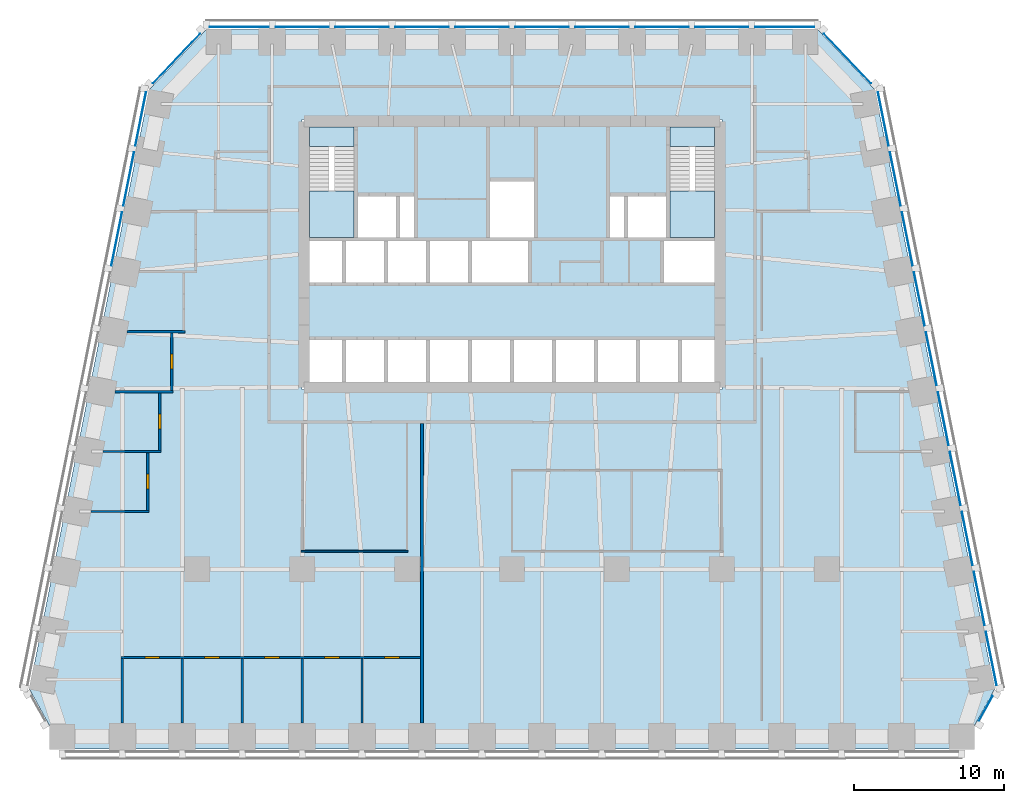
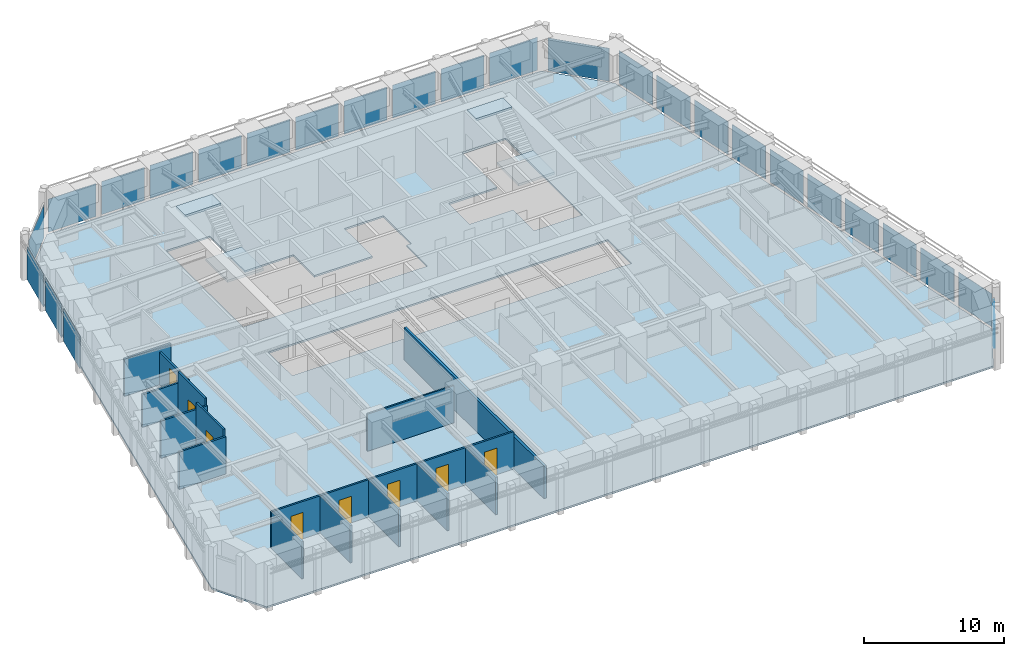
# One storey, part 5 of 10: 26 plates, 15 walls, 8 doors, 5 slabs, 8 openings, 8 elements without a shape of their own.
"""IFC4 building model written with IfcOpenShell, lengths in metres."""

import ifcopenshell
import ifcopenshell.guid

model = None  # the IFC model being written
_history = None  # IfcOwnerHistory: only IFC2X3 demands one
_inside = {}  # id of a spatial element -> (the spatial element, [elements in it])
_under = {}  # id of a project, library or spatial element -> (it, [spatial elements below it])
_declared = {}  # id of a project -> (the project, [libraries it declares])
_typed = {}  # id of a type object -> (the type object, [elements of that type])
_made_of = {}  # id of a material, layer set ... -> (it, [elements and type objects made of it])


def new_model(schema):
    """Start an empty IFC model of exactly this schema.

    Asked for "IFC4X3", IfcOpenShell would pick the latest addendum, in which some entities
    have other attributes; the version numbers below select the first issue.
    IFC2X3 requires an IfcOwnerHistory on every rooted entity: one is made here for all.
    """
    global model, _history
    if schema == "IFC4X3":
        model = ifcopenshell.file(schema_version=(4, 3, 0, 0))
    else:
        model = ifcopenshell.file(schema=schema)
    _inside.clear()
    _under.clear()
    _declared.clear()
    _typed.clear()
    _made_of.clear()
    _history = None
    if model.schema == "IFC2X3":
        org = make("IfcOrganization", Name="unknown")
        user = make(
            "IfcPersonAndOrganization",
            ThePerson=make("IfcPerson", FamilyName="unknown"),
            TheOrganization=org,
        )
        app = make(
            "IfcApplication",
            ApplicationDeveloper=org,
            Version="unknown",
            ApplicationFullName="unknown",
            ApplicationIdentifier="unknown",
        )
        _history = make(
            "IfcOwnerHistory",
            OwningUser=user,
            OwningApplication=app,
            ChangeAction="ADDED",
            CreationDate=0,
        )
    return model


def make(cls, **values):
    """One entity of the class cls with the attributes given. An attribute that is None is left unset."""
    return model.create_entity(
        cls, **{name: value for name, value in values.items() if value is not None}
    )


def rooted(cls, **values):
    """An entity with a GlobalId (a new one), such as an element, a storey or a relation."""
    return make(cls, GlobalId=ifcopenshell.guid.new(), OwnerHistory=_history, **values)


def si_unit(unit_type, name, prefix=None):
    """IfcSIUnit, for example si_unit("LENGTHUNIT", "METRE", prefix="MILLI")."""
    return make("IfcSIUnit", UnitType=unit_type, Prefix=prefix, Name=name)


def assignment(units):
    """IfcUnitAssignment: the units of a project."""
    return None if units is None else make("IfcUnitAssignment", Units=units)


def point(xyz):
    """IfcCartesianPoint."""
    return None if xyz is None else make("IfcCartesianPoint", Coordinates=xyz)


def direction(xyz):
    """IfcDirection."""
    return None if xyz is None else make("IfcDirection", DirectionRatios=xyz)


def frame(location, z_axis=None, x_axis=None):
    """IfcAxis2Placement3D, a coordinate frame: its origin and axes. An axis left out is left unset."""
    return make(
        "IfcAxis2Placement3D",
        Location=point(location),
        Axis=direction(z_axis),
        RefDirection=direction(x_axis),
    )


def frame_2d(location, x_axis=None):
    """IfcAxis2Placement2D, a coordinate frame in the plane: its origin and x axis."""
    return make(
        "IfcAxis2Placement2D", Location=point(location), RefDirection=direction(x_axis)
    )


def origin():
    """The frame at (0, 0, 0) with its axes left unset."""
    return frame((0.0, 0.0, 0.0))


def origin_2d():
    """The frame at (0, 0) in the plane with its x axis left unset."""
    return frame_2d((0.0, 0.0))


def place(relative_to, where):
    """IfcLocalPlacement: puts the frame where relative to a parent placement (None: the world)."""
    return make(
        "IfcLocalPlacement", PlacementRelTo=relative_to, RelativePlacement=where
    )


def context(
    kind, dimensions, precision=None, world=None, true_north=None, identifier=None
):
    """IfcGeometricRepresentationContext, for example the 3D "Model" context."""
    return make(
        "IfcGeometricRepresentationContext",
        ContextIdentifier=identifier,
        ContextType=kind,
        CoordinateSpaceDimension=dimensions,
        Precision=precision,
        WorldCoordinateSystem=world,
        TrueNorth=true_north,
    )


def subcontext(parent, identifier, kind, view, scale=None):
    """IfcGeometricRepresentationSubContext, for example "Body" below "Model"."""
    return make(
        "IfcGeometricRepresentationSubContext",
        ContextIdentifier=identifier,
        ContextType=kind,
        ParentContext=parent,
        TargetScale=scale,
        TargetView=view,
    )


def project(units=None, contexts=None):
    """IfcProject with its units and contexts."""
    return rooted(
        "IfcProject",
        Name="project",
        RepresentationContexts=contexts,
        UnitsInContext=assignment(units),
    )


def spatial(cls, under=None, at=None, **own):
    """A site, building, storey or space (cls), placed at a placement, below another one or the project."""
    s = rooted(cls, ObjectPlacement=at, **own)
    if under is not None:
        _under.setdefault(under.id(), (under, []))[1].append(s)
    return s


def polyline(points):
    """IfcPolyline through the points."""
    return make("IfcPolyline", Points=[point(p) for p in points])


def profile(cls, at=None, kind="AREA", **sizes):
    """A parametric profile (cls). Its sizes go by their IFC names, for example OverallWidth=200.0."""
    return make(cls, ProfileType=kind, Position=at, **sizes)


def rectangle(**sizes):
    """IfcRectangleProfileDef."""
    return profile("IfcRectangleProfileDef", **sizes)


def outline(outer, holes=None, kind="AREA"):
    """IfcArbitraryClosedProfileDef: a profile drawn as a closed curve; with holes, ...WithVoids."""
    if holes is None:
        return make("IfcArbitraryClosedProfileDef", ProfileType=kind, OuterCurve=outer)
    return make(
        "IfcArbitraryProfileDefWithVoids",
        ProfileType=kind,
        OuterCurve=outer,
        InnerCurves=holes,
    )


def extrude(swept, where, along, depth):
    """IfcExtrudedAreaSolid: the profile swept, set in the frame where, extruded along a direction by depth."""
    return make(
        "IfcExtrudedAreaSolid",
        SweptArea=swept,
        Position=where,
        ExtrudedDirection=direction(along),
        Depth=depth,
    )


def shape(context_of_items, identifier, shape_type, items):
    """IfcShapeRepresentation: the items that make up one representation, for example the "Body"."""
    return make(
        "IfcShapeRepresentation",
        ContextOfItems=context_of_items,
        RepresentationIdentifier=identifier,
        RepresentationType=shape_type,
        Items=items,
    )


def material(Name=None, Category=None):
    """IfcMaterial."""
    return make("IfcMaterial", Name=Name, Category=Category)


def layer(
    of_material, thickness, ventilated=None, Name=None, Category=None, Priority=None
):
    """IfcMaterialLayer: one layer of a wall or slab, of a material (None: an air gap)."""
    return make(
        "IfcMaterialLayer",
        Material=of_material,
        LayerThickness=thickness,
        IsVentilated=ventilated,
        Name=Name,
        Category=Category,
        Priority=Priority,
    )


def layer_set(layers, Name=None):
    """IfcMaterialLayerSet."""
    return make("IfcMaterialLayerSet", MaterialLayers=layers, LayerSetName=Name)


def made_of(thing, what):
    """Note that an element or type object is made of a material, layer set ...; save() writes the relation."""
    if what is not None:
        _made_of.setdefault(what.id(), (what, []))[1].append(thing)
    return thing


def type_object(cls, material=None, **own):
    """A type object (cls), such as IfcWallType, which elements share."""
    return made_of(rooted(cls, **own), material)


def element(
    cls,
    number,
    at=None,
    inside=None,
    cuts=None,
    type_object=None,
    material=None,
    context=None,
    identifier="Body",
    shape_type=None,
    held_by="IfcProductDefinitionShape",
    body=None,
    shapes=None,
    **own,
):
    """One element of the class cls, such as IfcWall. Its Tag is "e" and its number.

    at: its placement. inside: the storey or other place that contains it. cuts: it is an
    opening in that element (IfcRelVoidsElement). A single representation is given by context,
    identifier, shape_type and body (its items); several are given by shapes. held_by: the class
    of the entity that holds the representations. save() writes the other relations.
    """
    e = rooted(cls, Tag="e%d" % number, ObjectPlacement=at, **own)
    if body is not None:
        shapes = [shape(context, identifier, shape_type, body)]
    if shapes is not None:
        e.Representation = make(held_by, Representations=shapes)
    if inside is not None:
        _inside.setdefault(inside.id(), (inside, []))[1].append(e)
    if cuts is not None:
        rooted(
            "IfcRelVoidsElement", RelatingBuildingElement=cuts, RelatedOpeningElement=e
        )
    if type_object is not None:
        _typed.setdefault(type_object.id(), (type_object, []))[1].append(e)
    return made_of(e, material)


def fill(opening, filler):
    """IfcRelFillsElement: the door or window that sits in an opening."""
    return rooted(
        "IfcRelFillsElement",
        RelatingOpeningElement=opening,
        RelatedBuildingElement=filler,
    )


def aggregate(whole, parts):
    """IfcRelAggregates: a whole, such as a stair, and the parts it consists of."""
    return rooted("IfcRelAggregates", RelatingObject=whole, RelatedObjects=parts)


def save(model, path):
    """Write the relations noted so far, then the file.

    IfcRelAggregates (storeys below a building ...), IfcRelContainedInSpatialStructure (elements
    in a storey), IfcRelDefinesByType, IfcRelAssociatesMaterial and IfcRelDeclares: one each for
    every whole, place, type object, material and project.
    """
    for whole, parts in _under.values():
        aggregate(whole, parts)
    for where, things in _inside.values():
        rooted(
            "IfcRelContainedInSpatialStructure",
            RelatedElements=things,
            RelatingStructure=where,
        )
    for kind, things in _typed.values():
        rooted("IfcRelDefinesByType", RelatedObjects=things, RelatingType=kind)
    for what, things in _made_of.values():
        rooted("IfcRelAssociatesMaterial", RelatedObjects=things, RelatingMaterial=what)
    for by, libraries in _declared.values():
        rooted("IfcRelDeclares", RelatingContext=by, RelatedDefinitions=libraries)
    model.write(path)


model = new_model("IFC4")

# Units and contexts
model_context = context("Model", 3, precision=1e-05, world=origin(), true_north=direction((0.0, 1.0)))
body_context = subcontext(model_context, "Body", "Model", "MODEL_VIEW")
ifc_project = project(units=[si_unit("LENGTHUNIT", "METRE"), si_unit("AREAUNIT", "SQUARE_METRE"), si_unit("VOLUMEUNIT", "CUBIC_METRE"), si_unit("PLANEANGLEUNIT", "RADIAN"), si_unit("MASSUNIT", "GRAM", prefix="KILO")], contexts=[model_context])

# Site, building, storey
site_placement = place(None, origin())
site = spatial("IfcSite", under=ifc_project, at=site_placement, CompositionType="ELEMENT")
building_placement = place(site_placement, origin())
building = spatial("IfcBuilding", under=site, at=building_placement, Name="Isbrekke Arena Tower", CompositionType="ELEMENT")
storey_placement = place(building_placement, frame((0.0, 0.0, 107.0)))
storey = spatial("IfcBuildingStorey", under=building, at=storey_placement, Name="L23", CompositionType="ELEMENT", Elevation=107.0)

# Curtain wall, plate
ifc_material_1 = material(Name="Glazed aluminium curtain wall", Category="aluminium")
curtain_wall_type = type_object("IfcCurtainWallType", Name="CWM TOWER CURTAIN WALL MID ZONE", PredefinedType="USERDEFINED", material=ifc_material_1)
curtain_wall_1_placement = place(storey_placement, origin())
curtain_wall_1 = element("IfcCurtainWall", 1, at=curtain_wall_1_placement, inside=storey, type_object=curtain_wall_type, Name="CWM curtain wall L23-SE", ObjectType="TOWER CURTAIN WALL MID ZONE", PredefinedType="USERDEFINED")
ifc_material_2 = material(Name="Triple-glazed clear glass unit", Category="glass")
ifc_layer_1 = layer(ifc_material_2, 0.031982421875)
ifc_layer_set_1 = layer_set([ifc_layer_1], Name="CWM-P VISION PANEL")
plate_type = type_object("IfcPlateType", Name="CWM-P VISION PANEL", PredefinedType="CURTAIN_PANEL", material=ifc_layer_set_1)
plate_1_placement = place(storey_placement, frame((31.604248046875, -15.29052734375, 0.02001953125), z_axis=(0.0, 0.0, 1.0), x_axis=(0.481918749773, 0.876215908676, 0.0)))
plate_1 = element("IfcPlate", 2, at=plate_1_placement, type_object=plate_type, Name="CWM-P panel 1", PredefinedType="CURTAIN_PANEL", context=body_context, shape_type="SweptSolid", body=[
    extrude(rectangle(XDim=1.876220703125, YDim=0.031982421875, at=origin_2d()), origin(), (0.0, 0.0, 1.0), 2.8798828125),
])
aggregate(curtain_wall_1, [plate_1])

# Curtain wall, plates
curtain_wall_2_placement = place(storey_placement, origin())
curtain_wall_2 = element("IfcCurtainWall", 3, at=curtain_wall_2_placement, inside=storey, type_object=curtain_wall_type, Name="CWM curtain wall L23-E", ObjectType="TOWER CURTAIN WALL MID ZONE", PredefinedType="USERDEFINED")
plate_2_placement = place(storey_placement, frame((31.9716796875, -11.965576171875, 0.02001953125), z_axis=(0.0, 0.0, 1.0), x_axis=(-0.196116135138, 0.980580675691, 0.0)))
plate_2 = element("IfcPlate", 4, at=plate_2_placement, type_object=plate_type, Name="CWM-P panel 1", PredefinedType="CURTAIN_PANEL", context=body_context, shape_type="SweptSolid", body=[
    extrude(rectangle(XDim=3.629150390625, YDim=0.031982421875, at=origin_2d()), origin(), (0.0, 0.0, 1.0), 2.8798828125),
])
plate_3_placement = place(storey_placement, frame((31.171630859375, -7.965576171875, 0.02001953125), z_axis=(0.0, 0.0, 1.0), x_axis=(-0.196116135138, 0.980580675691, 0.0)))
plate_3 = element("IfcPlate", 5, at=plate_3_placement, type_object=plate_type, Name="CWM-P panel 2", PredefinedType="CURTAIN_PANEL", context=body_context, shape_type="SweptSolid", body=[
    extrude(rectangle(XDim=3.629150390625, YDim=0.031982421875, at=origin_2d()), origin(), (0.0, 0.0, 1.0), 2.8798828125),
])
plate_4_placement = place(storey_placement, frame((30.37158203125, -3.965576171875, 0.02001953125), z_axis=(0.0, 0.0, 1.0), x_axis=(-0.196116135138, 0.980580675691, 0.0)))
plate_4 = element("IfcPlate", 6, at=plate_4_placement, type_object=plate_type, Name="CWM-P panel 3", PredefinedType="CURTAIN_PANEL", context=body_context, shape_type="SweptSolid", body=[
    extrude(rectangle(XDim=3.629150390625, YDim=0.031982421875, at=origin_2d()), origin(), (0.0, 0.0, 1.0), 2.8798828125),
])
plate_5_placement = place(storey_placement, frame((29.571533203125, 0.034423828125, 0.02001953125), z_axis=(0.0, 0.0, 1.0), x_axis=(-0.196116135138, 0.980580675691, 0.0)))
plate_5 = element("IfcPlate", 7, at=plate_5_placement, type_object=plate_type, Name="CWM-P panel 4", PredefinedType="CURTAIN_PANEL", context=body_context, shape_type="SweptSolid", body=[
    extrude(rectangle(XDim=3.629150390625, YDim=0.031982421875, at=origin_2d()), origin(), (0.0, 0.0, 1.0), 2.8798828125),
])
plate_6_placement = place(storey_placement, frame((28.771484375, 4.034423828125, 0.02001953125), z_axis=(0.0, 0.0, 1.0), x_axis=(-0.196116135138, 0.980580675691, 0.0)))
plate_6 = element("IfcPlate", 8, at=plate_6_placement, type_object=plate_type, Name="CWM-P panel 5", PredefinedType="CURTAIN_PANEL", context=body_context, shape_type="SweptSolid", body=[
    extrude(rectangle(XDim=3.629150390625, YDim=0.031982421875, at=origin_2d()), origin(), (0.0, 0.0, 1.0), 2.8798828125),
])
plate_7_placement = place(storey_placement, frame((27.9716796875, 8.034423828125, 0.02001953125), z_axis=(0.0, 0.0, 1.0), x_axis=(-0.196116135138, 0.980580675691, 0.0)))
plate_7 = element("IfcPlate", 9, at=plate_7_placement, type_object=plate_type, Name="CWM-P panel 6", PredefinedType="CURTAIN_PANEL", context=body_context, shape_type="SweptSolid", body=[
    extrude(rectangle(XDim=3.629150390625, YDim=0.031982421875, at=origin_2d()), origin(), (0.0, 0.0, 1.0), 2.8798828125),
])
plate_8_placement = place(storey_placement, frame((27.171630859375, 12.034423828125, 0.02001953125), z_axis=(0.0, 0.0, 1.0), x_axis=(-0.196116135138, 0.980580675691, 0.0)))
plate_8 = element("IfcPlate", 10, at=plate_8_placement, type_object=plate_type, Name="CWM-P panel 7", PredefinedType="CURTAIN_PANEL", context=body_context, shape_type="SweptSolid", body=[
    extrude(rectangle(XDim=3.629150390625, YDim=0.031982421875, at=origin_2d()), origin(), (0.0, 0.0, 1.0), 2.8798828125),
])
plate_9_placement = place(storey_placement, frame((26.37158203125, 16.034423828125, 0.02001953125), z_axis=(0.0, 0.0, 1.0), x_axis=(-0.196116135138, 0.980580675691, 0.0)))
plate_9 = element("IfcPlate", 11, at=plate_9_placement, type_object=plate_type, Name="CWM-P panel 8", PredefinedType="CURTAIN_PANEL", context=body_context, shape_type="SweptSolid", body=[
    extrude(rectangle(XDim=3.629150390625, YDim=0.031982421875, at=origin_2d()), origin(), (0.0, 0.0, 1.0), 2.8798828125),
])
plate_10_placement = place(storey_placement, frame((25.571533203125, 20.034423828125, 0.02001953125), z_axis=(0.0, 0.0, 1.0), x_axis=(-0.196116135138, 0.980580675691, 0.0)))
plate_10 = element("IfcPlate", 12, at=plate_10_placement, type_object=plate_type, Name="CWM-P panel 9", PredefinedType="CURTAIN_PANEL", context=body_context, shape_type="SweptSolid", body=[
    extrude(rectangle(XDim=3.629150390625, YDim=0.031982421875, at=origin_2d()), origin(), (0.0, 0.0, 1.0), 2.8798828125),
])
plate_11_placement = place(storey_placement, frame((24.771484375, 24.034423828125, 0.02001953125), z_axis=(0.0, 0.0, 1.0), x_axis=(-0.196116135138, 0.980580675691, 0.0)))
plate_11 = element("IfcPlate", 13, at=plate_11_placement, type_object=plate_type, Name="CWM-P panel 10", PredefinedType="CURTAIN_PANEL", context=body_context, shape_type="SweptSolid", body=[
    extrude(rectangle(XDim=3.629150390625, YDim=0.031982421875, at=origin_2d()), origin(), (0.0, 0.0, 1.0), 2.8798828125),
])
aggregate(curtain_wall_2, [plate_2, plate_3, plate_4, plate_5, plate_6, plate_7, plate_8, plate_9, plate_10, plate_11])

# Curtain wall, plate
curtain_wall_3_placement = place(storey_placement, origin())
curtain_wall_3 = element("IfcCurtainWall", 14, at=curtain_wall_3_placement, inside=storey, type_object=curtain_wall_type, Name="CWM curtain wall L23-EN", ObjectType="TOWER CURTAIN WALL MID ZONE", PredefinedType="USERDEFINED")
plate_12_placement = place(storey_placement, frame((22.374755859375, 28.06640625, 0.02001953125), z_axis=(0.0, 0.0, 1.0), x_axis=(-0.68874946192, 0.72499943359, 0.0)))
plate_12 = element("IfcPlate", 15, at=plate_12_placement, type_object=plate_type, Name="CWM-P panel 1", PredefinedType="CURTAIN_PANEL", context=body_context, shape_type="SweptSolid", body=[
    extrude(rectangle(XDim=4.558349609375, YDim=0.031982421875, at=origin_2d()), origin(), (0.0, 0.0, 1.0), 2.8798828125),
])
aggregate(curtain_wall_3, [plate_12])

# Curtain wall, plates
curtain_wall_4_placement = place(storey_placement, origin())
curtain_wall_4 = element("IfcCurtainWall", 16, at=curtain_wall_4_placement, inside=storey, type_object=curtain_wall_type, Name="CWM curtain wall L23-N", ObjectType="TOWER CURTAIN WALL MID ZONE", PredefinedType="USERDEFINED")
plate_13_placement = place(storey_placement, frame((18.199951171875, 30.175048828125, 0.02001953125), z_axis=(0.0, 0.0, 1.0), x_axis=(-1.0, 0.0, 0.0)))
plate_13 = element("IfcPlate", 17, at=plate_13_placement, type_object=plate_type, Name="CWM-P panel 1", PredefinedType="CURTAIN_PANEL", context=body_context, shape_type="SweptSolid", body=[
    extrude(rectangle(XDim=3.949951171875, YDim=0.031982421875, at=origin_2d()), origin(), (0.0, 0.0, 1.0), 2.8798828125),
])
plate_14_placement = place(storey_placement, frame((14.0, 30.175048828125, 0.02001953125), z_axis=(0.0, 0.0, 1.0), x_axis=(-1.0, 0.0, 0.0)))
plate_14 = element("IfcPlate", 18, at=plate_14_placement, type_object=plate_type, Name="CWM-P panel 2", PredefinedType="CURTAIN_PANEL", context=body_context, shape_type="SweptSolid", body=[
    extrude(rectangle(XDim=3.550048828125, YDim=0.031982421875, at=origin_2d()), origin(), (0.0, 0.0, 1.0), 2.8798828125),
])
plate_15_placement = place(storey_placement, frame((10.0, 30.175048828125, 0.02001953125), z_axis=(0.0, 0.0, 1.0), x_axis=(-1.0, 0.0, 0.0)))
plate_15 = element("IfcPlate", 19, at=plate_15_placement, type_object=plate_type, Name="CWM-P panel 3", PredefinedType="CURTAIN_PANEL", context=body_context, shape_type="SweptSolid", body=[
    extrude(rectangle(XDim=3.550048828125, YDim=0.031982421875, at=origin_2d()), origin(), (0.0, 0.0, 1.0), 2.8798828125),
])
plate_16_placement = place(storey_placement, frame((6.0, 30.175048828125, 0.02001953125), z_axis=(0.0, 0.0, 1.0), x_axis=(-1.0, 0.0, 0.0)))
plate_16 = element("IfcPlate", 20, at=plate_16_placement, type_object=plate_type, Name="CWM-P panel 4", PredefinedType="CURTAIN_PANEL", context=body_context, shape_type="SweptSolid", body=[
    extrude(rectangle(XDim=3.550048828125, YDim=0.031982421875, at=origin_2d()), origin(), (0.0, 0.0, 1.0), 2.8798828125),
])
plate_17_placement = place(storey_placement, frame((2.0, 30.175048828125, 0.02001953125), z_axis=(0.0, 0.0, 1.0), x_axis=(-1.0, 0.0, 0.0)))
plate_17 = element("IfcPlate", 21, at=plate_17_placement, type_object=plate_type, Name="CWM-P panel 5", PredefinedType="CURTAIN_PANEL", context=body_context, shape_type="SweptSolid", body=[
    extrude(rectangle(XDim=3.550048828125, YDim=0.031982421875, at=origin_2d()), origin(), (0.0, 0.0, 1.0), 2.8798828125),
])
plate_18_placement = place(storey_placement, frame((-2.0, 30.175048828125, 0.02001953125), z_axis=(0.0, 0.0, 1.0), x_axis=(-1.0, 0.0, 0.0)))
plate_18 = element("IfcPlate", 22, at=plate_18_placement, type_object=plate_type, Name="CWM-P panel 6", PredefinedType="CURTAIN_PANEL", context=body_context, shape_type="SweptSolid", body=[
    extrude(rectangle(XDim=3.550048828125, YDim=0.031982421875, at=origin_2d()), origin(), (0.0, 0.0, 1.0), 2.8798828125),
])
plate_19_placement = place(storey_placement, frame((-6.0, 30.175048828125, 0.02001953125), z_axis=(0.0, 0.0, 1.0), x_axis=(-1.0, 0.0, 0.0)))
plate_19 = element("IfcPlate", 23, at=plate_19_placement, type_object=plate_type, Name="CWM-P panel 7", PredefinedType="CURTAIN_PANEL", context=body_context, shape_type="SweptSolid", body=[
    extrude(rectangle(XDim=3.550048828125, YDim=0.031982421875, at=origin_2d()), origin(), (0.0, 0.0, 1.0), 2.8798828125),
])
plate_20_placement = place(storey_placement, frame((-10.0, 30.175048828125, 0.02001953125), z_axis=(0.0, 0.0, 1.0), x_axis=(-1.0, 0.0, 0.0)))
plate_20 = element("IfcPlate", 24, at=plate_20_placement, type_object=plate_type, Name="CWM-P panel 8", PredefinedType="CURTAIN_PANEL", context=body_context, shape_type="SweptSolid", body=[
    extrude(rectangle(XDim=3.550048828125, YDim=0.031982421875, at=origin_2d()), origin(), (0.0, 0.0, 1.0), 2.8798828125),
])
plate_21_placement = place(storey_placement, frame((-14.0, 30.175048828125, 0.02001953125), z_axis=(0.0, 0.0, 1.0), x_axis=(-1.0, 0.0, 0.0)))
plate_21 = element("IfcPlate", 25, at=plate_21_placement, type_object=plate_type, Name="CWM-P panel 9", PredefinedType="CURTAIN_PANEL", context=body_context, shape_type="SweptSolid", body=[
    extrude(rectangle(XDim=3.550048828125, YDim=0.031982421875, at=origin_2d()), origin(), (0.0, 0.0, 1.0), 2.8798828125),
])
plate_22_placement = place(storey_placement, frame((-18.199951171875, 30.175048828125, 0.02001953125), z_axis=(0.0, 0.0, 1.0), x_axis=(-1.0, 0.0, 0.0)))
plate_22 = element("IfcPlate", 26, at=plate_22_placement, type_object=plate_type, Name="CWM-P panel 10", PredefinedType="CURTAIN_PANEL", context=body_context, shape_type="SweptSolid", body=[
    extrude(rectangle(XDim=3.949951171875, YDim=0.031982421875, at=origin_2d()), origin(), (0.0, 0.0, 1.0), 2.8798828125),
])
aggregate(curtain_wall_4, [plate_13, plate_14, plate_15, plate_16, plate_17, plate_18, plate_19, plate_20, plate_21, plate_22])

# Curtain wall, plate
curtain_wall_5_placement = place(storey_placement, origin())
curtain_wall_5 = element("IfcCurtainWall", 27, at=curtain_wall_5_placement, inside=storey, type_object=curtain_wall_type, Name="CWM curtain wall L23-NW", ObjectType="TOWER CURTAIN WALL MID ZONE", PredefinedType="USERDEFINED")
plate_23_placement = place(storey_placement, frame((-22.37451171875, 28.066650390625, 0.02001953125), z_axis=(0.0, 0.0, 1.0), x_axis=(-0.68874946192, -0.72499943359, 0.0)))
plate_23 = element("IfcPlate", 28, at=plate_23_placement, type_object=plate_type, Name="CWM-P panel 1", PredefinedType="CURTAIN_PANEL", context=body_context, shape_type="SweptSolid", body=[
    extrude(rectangle(XDim=4.557373046875, YDim=0.031982421875, at=origin_2d()), origin(), (0.0, 0.0, 1.0), 2.8798828125),
])
aggregate(curtain_wall_5, [plate_23])

# Curtain wall, plates
curtain_wall_6_placement = place(storey_placement, origin())
curtain_wall_6 = element("IfcCurtainWall", 29, at=curtain_wall_6_placement, inside=storey, type_object=curtain_wall_type, Name="CWM curtain wall L23-W", ObjectType="TOWER CURTAIN WALL MID ZONE", PredefinedType="USERDEFINED")
plate_24_placement = place(storey_placement, frame((-24.771484375, 24.034423828125, 0.02001953125), z_axis=(0.0, 0.0, 1.0), x_axis=(-0.196116135138, -0.980580675691, 0.0)))
plate_24 = element("IfcPlate", 30, at=plate_24_placement, type_object=plate_type, Name="CWM-P panel 1", PredefinedType="CURTAIN_PANEL", context=body_context, shape_type="SweptSolid", body=[
    extrude(rectangle(XDim=3.629150390625, YDim=0.031982421875, at=origin_2d()), origin(), (0.0, 0.0, 1.0), 2.8798828125),
])
plate_25_placement = place(storey_placement, frame((-25.571533203125, 20.034423828125, 0.02001953125), z_axis=(0.0, 0.0, 1.0), x_axis=(-0.196116135138, -0.980580675691, 0.0)))
plate_25 = element("IfcPlate", 31, at=plate_25_placement, type_object=plate_type, Name="CWM-P panel 2", PredefinedType="CURTAIN_PANEL", context=body_context, shape_type="SweptSolid", body=[
    extrude(rectangle(XDim=3.629150390625, YDim=0.031982421875, at=origin_2d()), origin(), (0.0, 0.0, 1.0), 2.8798828125),
])
plate_26_placement = place(storey_placement, frame((-26.37158203125, 16.034423828125, 0.02001953125), z_axis=(0.0, 0.0, 1.0), x_axis=(-0.196116135138, -0.980580675691, 0.0)))
plate_26 = element("IfcPlate", 32, at=plate_26_placement, type_object=plate_type, Name="CWM-P panel 3", PredefinedType="CURTAIN_PANEL", context=body_context, shape_type="SweptSolid", body=[
    extrude(rectangle(XDim=3.629150390625, YDim=0.031982421875, at=origin_2d()), origin(), (0.0, 0.0, 1.0), 2.8798828125),
])
aggregate(curtain_wall_6, [plate_24, plate_25, plate_26])

# Slab
ifc_material_3 = material(Name="Concrete B35 (C35/45)", Category="concrete")
ifc_layer_2 = layer(ifc_material_3, 0.14990234375)
ifc_layer_set_2 = layer_set([ifc_layer_2], Name="FS1 COMPOSITE FLOOR 150")
slab_type_1 = type_object("IfcSlabType", Name="FS1 COMPOSITE FLOOR 150", PredefinedType="FLOOR", material=ifc_layer_set_2)
slab_1_placement = place(storey_placement, frame((0.0, 0.0, -0.14990234375)))
element("IfcSlab", 33, at=slab_1_placement, inside=storey, type_object=slab_type_1, Name="FS1 floor slab L23", PredefinedType="FLOOR", context=body_context, shape_type="SweptSolid", body=[
    extrude(outline(polyline([(-30.0, -18.0), (30.0, -18.0), (32.199951171875, -14.0), (24.199951171875, 26.0), (20.39990234375, 30.0), (-20.39990234375, 30.0), (-24.199951171875, 26.0), (-32.199951171875, -14.0), (-30.0, -18.0)]), holes=[polyline([(14.0, 9.39990234375), (14.0, 6.0), (-14.0, 6.0), (-14.0, 9.39990234375), (14.0, 9.39990234375)]), polyline([(-6.39990234375, 19.0), (-6.39990234375, 16.0), (-1.60009765625, 16.0), (-1.60009765625, 20.0), (1.60009765625, 20.0), (1.60009765625, 16.0), (1.199951171875, 16.0), (1.199951171875, 13.0), (-14.0, 13.0), (-14.0, 24.0), (-10.39990234375, 24.0), (-10.39990234375, 19.0), (-6.39990234375, 19.0)]), polyline([(10.0, 13.0), (10.0, 16.0), (6.39990234375, 16.0), (6.39990234375, 19.0), (10.39990234375, 19.0), (10.39990234375, 24.0), (14.0, 24.0), (14.0, 13.0), (10.0, 13.0)])]), origin(), (0.0, 0.0, 1.0), 0.14990234375),
])

# Stair, slabs
ifc_material_4 = material(Name="Concrete B45 (C45/55) precast", Category="concrete")
stair_type = type_object("IfcStairType", Name="ST40 STAIR 1300 WIDE, 24 RISERS 167", PredefinedType="HALF_TURN_STAIR", material=ifc_material_4)
stair_1_placement = place(storey_placement, origin())
stair_1 = element("IfcStair", 34, at=stair_1_placement, inside=storey, type_object=stair_type, Name="ST1 stair L23", PredefinedType="HALF_TURN_STAIR")
ifc_material_5 = material(Name="Concrete B35 (C35/45)", Category="concrete")
ifc_layer_3 = layer(ifc_material_5, 0.199951171875)
ifc_layer_set_3 = layer_set([ifc_layer_3], Name="SL1 STAIR LANDING 200")
slab_type_2 = type_object("IfcSlabType", Name="SL1 STAIR LANDING 200", PredefinedType="LANDING", material=ifc_layer_set_3)
slab_2_placement = place(storey_placement, frame((0.0, 0.0, 1.800048828125)))
slab_2 = element("IfcSlab", 35, at=slab_2_placement, type_object=slab_type_2, Name="ST1 landing 1", PredefinedType="LANDING", context=body_context, shape_type="SweptSolid", body=[
    extrude(outline(polyline([(-13.5, 16.125), (-10.52490234375, 16.125), (-10.52490234375, 19.22998046875), (-13.5, 19.22998046875), (-13.5, 16.125)])), origin(), (0.0, 0.0, 1.0), 0.199951171875),
])
slab_3_placement = place(storey_placement, frame((0.0, 0.0, 3.800048828125)))
slab_3 = element("IfcSlab", 36, at=slab_3_placement, type_object=slab_type_2, Name="ST1 landing 2", PredefinedType="LANDING", context=body_context, shape_type="SweptSolid", body=[
    extrude(outline(polyline([(-13.5, 22.199951171875), (-10.52490234375, 22.199951171875), (-10.52490234375, 23.5), (-13.5, 23.5), (-13.5, 22.199951171875)])), origin(), (0.0, 0.0, 1.0), 0.199951171875),
])
aggregate(stair_1, [slab_2, slab_3])

stair_2_placement = place(storey_placement, origin())
stair_2 = element("IfcStair", 37, at=stair_2_placement, inside=storey, type_object=stair_type, Name="ST2 stair L23", PredefinedType="HALF_TURN_STAIR")
slab_4_placement = place(storey_placement, frame((0.0, 0.0, 1.800048828125)))
slab_4 = element("IfcSlab", 38, at=slab_4_placement, type_object=slab_type_2, Name="ST2 landing 1", PredefinedType="LANDING", context=body_context, shape_type="SweptSolid", body=[
    extrude(outline(polyline([(10.52490234375, 16.125), (13.5, 16.125), (13.5, 19.22998046875), (10.52490234375, 19.22998046875), (10.52490234375, 16.125)])), origin(), (0.0, 0.0, 1.0), 0.199951171875),
])
slab_5_placement = place(storey_placement, frame((0.0, 0.0, 3.800048828125)))
slab_5 = element("IfcSlab", 39, at=slab_5_placement, type_object=slab_type_2, Name="ST2 landing 2", PredefinedType="LANDING", context=body_context, shape_type="SweptSolid", body=[
    extrude(outline(polyline([(10.52490234375, 22.199951171875), (13.5, 22.199951171875), (13.5, 23.5), (10.52490234375, 23.5), (10.52490234375, 22.199951171875)])), origin(), (0.0, 0.0, 1.0), 0.199951171875),
])
aggregate(stair_2, [slab_4, slab_5])

# Wall, openings, doors
ifc_material_6 = material(Name="Gypsum board partition on steel studs", Category="steel")
ifc_layer_4 = layer(ifc_material_6, 0.14990234375)
ifc_layer_set_4 = layer_set([ifc_layer_4], Name="IW1 PARTITION 150")
wall_type_1 = type_object("IfcWallType", Name="IW1 PARTITION 150", PredefinedType="PARTITIONING", material=ifc_layer_set_4)
wall_1_placement = place(storey_placement, frame((-26.074951171875, -11.89990234375, 0.0), z_axis=(0.0, 0.0, 1.0), x_axis=(1.0, 0.0, 0.0)))
wall_1 = element("IfcWall", 40, at=wall_1_placement, inside=storey, type_object=wall_type_1, Name="IW1 partition 150 L23", PredefinedType="PARTITIONING", context=body_context, shape_type="SweptSolid", body=[
    extrude(rectangle(XDim=19.974853515625, YDim=0.14990234375, at=frame_2d((9.9873046875, 0.0))), origin(), (0.0, 0.0, 1.0), 3.25),
])
opening_1_placement = place(wall_1_placement, frame((1.574951171875, 0.0, 0.0)))
opening_1 = element("IfcOpeningElement", 41, at=opening_1_placement, cuts=wall_1, Name="Opening D10", PredefinedType="OPENING", context=body_context, shape_type="SweptSolid", body=[
    extrude(rectangle(XDim=1.0, YDim=2.300048828125, at=frame_2d((0.5, 1.14990234375))), frame((0.0, 0.08984375, 0.0), z_axis=(0.0, -1.0, 0.0), x_axis=(1.0, 0.0, 0.0)), (0.0, 0.0, 1.0), 0.1796875),
])
opening_2_placement = place(wall_1_placement, frame((5.574951171875, 0.0, 0.0)))
opening_2 = element("IfcOpeningElement", 42, at=opening_2_placement, cuts=wall_1, Name="Opening D10", PredefinedType="OPENING", context=body_context, shape_type="SweptSolid", body=[
    extrude(rectangle(XDim=1.0, YDim=2.300048828125, at=frame_2d((0.5, 1.14990234375))), frame((0.0, 0.08984375, 0.0), z_axis=(0.0, -1.0, 0.0), x_axis=(1.0, 0.0, 0.0)), (0.0, 0.0, 1.0), 0.1796875),
])
opening_3_placement = place(wall_1_placement, frame((9.574951171875, 0.0, 0.0)))
opening_3 = element("IfcOpeningElement", 43, at=opening_3_placement, cuts=wall_1, Name="Opening D10", PredefinedType="OPENING", context=body_context, shape_type="SweptSolid", body=[
    extrude(rectangle(XDim=1.0, YDim=2.300048828125, at=frame_2d((0.5, 1.14990234375))), frame((0.0, 0.08984375, 0.0), z_axis=(0.0, -1.0, 0.0), x_axis=(1.0, 0.0, 0.0)), (0.0, 0.0, 1.0), 0.1796875),
])
opening_4_placement = place(wall_1_placement, frame((13.574951171875, 0.0, 0.0)))
opening_4 = element("IfcOpeningElement", 44, at=opening_4_placement, cuts=wall_1, Name="Opening D10", PredefinedType="OPENING", context=body_context, shape_type="SweptSolid", body=[
    extrude(rectangle(XDim=1.0, YDim=2.300048828125, at=frame_2d((0.5, 1.14990234375))), frame((0.0, 0.08984375, 0.0), z_axis=(0.0, -1.0, 0.0), x_axis=(1.0, 0.0, 0.0)), (0.0, 0.0, 1.0), 0.1796875),
])
opening_5_placement = place(wall_1_placement, frame((17.574951171875, 0.0, 0.0)))
opening_5 = element("IfcOpeningElement", 45, at=opening_5_placement, cuts=wall_1, Name="Opening D10", PredefinedType="OPENING", context=body_context, shape_type="SweptSolid", body=[
    extrude(rectangle(XDim=1.0, YDim=2.300048828125, at=frame_2d((0.5, 1.14990234375))), frame((0.0, 0.08984375, 0.0), z_axis=(0.0, -1.0, 0.0), x_axis=(1.0, 0.0, 0.0)), (0.0, 0.0, 1.0), 0.1796875),
])
ifc_material_7 = material(Name="Timber door", Category="wood")
door_type = type_object("IfcDoorType", Name="D10 OFFICE DOOR 1000 x 2300", OperationType="SINGLE_SWING_LEFT", PredefinedType="DOOR", material=ifc_material_7)
door_1_placement = place(opening_1_placement, origin())
door_1 = element("IfcDoor", 46, at=door_1_placement, inside=storey, type_object=door_type, Name="D10 office door L23", OperationType="SINGLE_SWING_LEFT", OverallHeight=2.300048828125, OverallWidth=1.0, PredefinedType="DOOR", context=body_context, shape_type="SweptSolid", body=[
    extrude(rectangle(XDim=1.0, YDim=2.300048828125, at=frame_2d((0.5, 1.14990234375))), frame((0.0, 0.07470703125, 0.0), z_axis=(0.0, -1.0, 0.0), x_axis=(1.0, 0.0, 0.0)), (0.0, 0.0, 1.0), 0.1494140625),
])
fill(opening_1, door_1)
door_2_placement = place(opening_2_placement, origin())
door_2 = element("IfcDoor", 47, at=door_2_placement, inside=storey, type_object=door_type, Name="D10 office door L23", OperationType="SINGLE_SWING_LEFT", OverallHeight=2.300048828125, OverallWidth=1.0, PredefinedType="DOOR", context=body_context, shape_type="SweptSolid", body=[
    extrude(rectangle(XDim=1.0, YDim=2.300048828125, at=frame_2d((0.5, 1.14990234375))), frame((0.0, 0.07470703125, 0.0), z_axis=(0.0, -1.0, 0.0), x_axis=(1.0, 0.0, 0.0)), (0.0, 0.0, 1.0), 0.1494140625),
])
fill(opening_2, door_2)
door_3_placement = place(opening_3_placement, origin())
door_3 = element("IfcDoor", 48, at=door_3_placement, inside=storey, type_object=door_type, Name="D10 office door L23", OperationType="SINGLE_SWING_LEFT", OverallHeight=2.300048828125, OverallWidth=1.0, PredefinedType="DOOR", context=body_context, shape_type="SweptSolid", body=[
    extrude(rectangle(XDim=1.0, YDim=2.300048828125, at=frame_2d((0.5, 1.14990234375))), frame((0.0, 0.07470703125, 0.0), z_axis=(0.0, -1.0, 0.0), x_axis=(1.0, 0.0, 0.0)), (0.0, 0.0, 1.0), 0.1494140625),
])
fill(opening_3, door_3)
door_4_placement = place(opening_4_placement, origin())
door_4 = element("IfcDoor", 49, at=door_4_placement, inside=storey, type_object=door_type, Name="D10 office door L23", OperationType="SINGLE_SWING_LEFT", OverallHeight=2.300048828125, OverallWidth=1.0, PredefinedType="DOOR", context=body_context, shape_type="SweptSolid", body=[
    extrude(rectangle(XDim=1.0, YDim=2.300048828125, at=frame_2d((0.5, 1.14990234375))), frame((0.0, 0.07470703125, 0.0), z_axis=(0.0, -1.0, 0.0), x_axis=(1.0, 0.0, 0.0)), (0.0, 0.0, 1.0), 0.1494140625),
])
fill(opening_4, door_4)
door_5_placement = place(opening_5_placement, origin())
door_5 = element("IfcDoor", 50, at=door_5_placement, inside=storey, type_object=door_type, Name="D10 office door L23", OperationType="SINGLE_SWING_LEFT", OverallHeight=2.300048828125, OverallWidth=1.0, PredefinedType="DOOR", context=body_context, shape_type="SweptSolid", body=[
    extrude(rectangle(XDim=1.0, YDim=2.300048828125, at=frame_2d((0.5, 1.14990234375))), frame((0.0, 0.07470703125, 0.0), z_axis=(0.0, -1.0, 0.0), x_axis=(1.0, 0.0, 0.0)), (0.0, 0.0, 1.0), 0.1494140625),
])
fill(opening_5, door_5)

# Walls
for number, where, z_axis, x_axis, name in (
    (51, (-28.07275390625, -2.159912109375, 0.0), (0.0, 0.0, 1.0), (1.0, 0.0, 0.0), "IW1 partition 150 L23"),
    (52, (-27.272705078125, 1.840087890625, 0.0), (0.0, 0.0, 1.0), (1.0, 0.0, 0.0), "IW1 partition 150 L23"),
):
    element("IfcWall", number, at=place(storey_placement, frame(where, z_axis=z_axis, x_axis=x_axis)), inside=storey, type_object=wall_type_1, Name=name, PredefinedType="PARTITIONING", context=body_context, shape_type="SweptSolid", body=[
        extrude(rectangle(XDim=3.84765625, YDim=0.14990234375, at=frame_2d((1.923828125, 0.0))), origin(), (0.0, 0.0, 1.0), 3.25),
    ])
wall_2_placement = place(storey_placement, frame((-26.472900390625, 5.840087890625, 0.0), z_axis=(0.0, 0.0, 1.0), x_axis=(1.0, 0.0, 0.0)))
element("IfcWall", 53, at=wall_2_placement, inside=storey, type_object=wall_type_1, Name="IW1 partition 150 L23", PredefinedType="PARTITIONING", context=body_context, shape_type="SweptSolid", body=[
    extrude(rectangle(XDim=3.847900390625, YDim=0.14990234375, at=frame_2d((1.923828125, 0.0))), origin(), (0.0, 0.0, 1.0), 2.842041015625),
])
wall_3_placement = place(storey_placement, frame((-25.6728515625, 9.840087890625, 0.0), z_axis=(0.0, 0.0, 1.0), x_axis=(1.0, 0.0, 0.0)))
element("IfcWall", 54, at=wall_3_placement, inside=storey, type_object=wall_type_1, Name="IW1 partition 150 L23", PredefinedType="PARTITIONING", context=body_context, shape_type="SweptSolid", body=[
    extrude(rectangle(XDim=3.847900390625, YDim=0.14990234375, at=frame_2d((1.923828125, 0.0))), origin(), (0.0, 0.0, 1.0), 3.25),
])
wall_4_placement = place(storey_placement, frame((-26.0, -16.27490234375, 0.0), z_axis=(0.0, 0.0, 1.0), x_axis=(0.0, 1.0, 0.0)))
element("IfcWall", 55, at=wall_4_placement, inside=storey, type_object=wall_type_1, Name="IW1 partition 150 L23", PredefinedType="PARTITIONING", context=body_context, shape_type="SweptSolid", body=[
    extrude(rectangle(XDim=4.2998046875, YDim=0.14990234375, at=frame_2d((2.14990234375, 0.0))), origin(), (0.0, 0.0, 1.0), 3.25),
])

# Wall, opening, door
wall_5_placement = place(storey_placement, frame((-24.300048828125, -2.0849609375, 0.0), z_axis=(0.0, 0.0, 1.0), x_axis=(0.0, 1.0, 0.0)))
wall_5 = element("IfcWall", 56, at=wall_5_placement, inside=storey, type_object=wall_type_1, Name="IW1 partition 150 L23", PredefinedType="PARTITIONING", context=body_context, shape_type="SweptSolid", body=[
    extrude(rectangle(XDim=3.849853515625, YDim=0.14990234375, at=frame_2d((1.9248046875, 0.0))), origin(), (0.0, 0.0, 1.0), 3.85009765625),
])
opening_6_placement = place(wall_5_placement, frame((1.425048828125, 0.0, 0.0)))
opening_6 = element("IfcOpeningElement", 57, at=opening_6_placement, cuts=wall_5, Name="Opening D10", PredefinedType="OPENING", context=body_context, shape_type="SweptSolid", body=[
    extrude(rectangle(XDim=1.0, YDim=2.300048828125, at=frame_2d((0.5, 1.14990234375))), frame((0.0, 0.08984375, 0.0), z_axis=(0.0, -1.0, 0.0), x_axis=(1.0, 0.0, 0.0)), (0.0, 0.0, 1.0), 0.1796875),
])
door_6_placement = place(opening_6_placement, origin())
door_6 = element("IfcDoor", 58, at=door_6_placement, inside=storey, type_object=door_type, Name="D10 office door L23", OperationType="SINGLE_SWING_LEFT", OverallHeight=2.300048828125, OverallWidth=1.0, PredefinedType="DOOR", context=body_context, shape_type="SweptSolid", body=[
    extrude(rectangle(XDim=1.0, YDim=2.300048828125, at=frame_2d((0.5, 1.14990234375))), frame((0.0, 0.07470703125, 0.0), z_axis=(0.0, -1.0, 0.0), x_axis=(1.0, 0.0, 0.0)), (0.0, 0.0, 1.0), 0.1494140625),
])
fill(opening_6, door_6)

wall_6_placement = place(storey_placement, frame((-23.5, 1.9150390625, 0.0), z_axis=(0.0, 0.0, 1.0), x_axis=(0.0, 1.0, 0.0)))
wall_6 = element("IfcWall", 59, at=wall_6_placement, inside=storey, type_object=wall_type_1, Name="IW1 partition 150 L23", PredefinedType="PARTITIONING", context=body_context, shape_type="SweptSolid", body=[
    extrude(rectangle(XDim=3.849853515625, YDim=0.14990234375, at=frame_2d((1.9248046875, 0.0))), origin(), (0.0, 0.0, 1.0), 3.85009765625),
])
opening_7_placement = place(wall_6_placement, frame((1.425048828125, 0.0, 0.0)))
opening_7 = element("IfcOpeningElement", 60, at=opening_7_placement, cuts=wall_6, Name="Opening D10", PredefinedType="OPENING", context=body_context, shape_type="SweptSolid", body=[
    extrude(rectangle(XDim=1.0, YDim=2.300048828125, at=frame_2d((0.5, 1.14990234375))), frame((0.0, 0.08984375, 0.0), z_axis=(0.0, -1.0, 0.0), x_axis=(1.0, 0.0, 0.0)), (0.0, 0.0, 1.0), 0.1796875),
])
door_7_placement = place(opening_7_placement, origin())
door_7 = element("IfcDoor", 61, at=door_7_placement, inside=storey, type_object=door_type, Name="D10 office door L23", OperationType="SINGLE_SWING_LEFT", OverallHeight=2.300048828125, OverallWidth=1.0, PredefinedType="DOOR", context=body_context, shape_type="SweptSolid", body=[
    extrude(rectangle(XDim=1.0, YDim=2.300048828125, at=frame_2d((0.5, 1.14990234375))), frame((0.0, 0.07470703125, 0.0), z_axis=(0.0, -1.0, 0.0), x_axis=(1.0, 0.0, 0.0)), (0.0, 0.0, 1.0), 0.1494140625),
])
fill(opening_7, door_7)

wall_7_placement = place(storey_placement, frame((-22.699951171875, 5.9150390625, 0.0), z_axis=(0.0, 0.0, 1.0), x_axis=(0.0, 1.0, 0.0)))
wall_7 = element("IfcWall", 62, at=wall_7_placement, inside=storey, type_object=wall_type_1, Name="IW1 partition 150 L23", PredefinedType="PARTITIONING", context=body_context, shape_type="SweptSolid", body=[
    extrude(rectangle(XDim=3.849853515625, YDim=0.14990234375, at=frame_2d((1.9248046875, 0.0))), origin(), (0.0, 0.0, 1.0), 2.842041015625),
])
opening_8_placement = place(wall_7_placement, frame((1.425048828125, 0.0, 0.0)))
opening_8 = element("IfcOpeningElement", 63, at=opening_8_placement, cuts=wall_7, Name="Opening D10", PredefinedType="OPENING", context=body_context, shape_type="SweptSolid", body=[
    extrude(rectangle(XDim=1.0, YDim=2.300048828125, at=frame_2d((0.5, 1.14990234375))), frame((0.0, 0.08984375, 0.0), z_axis=(0.0, -1.0, 0.0), x_axis=(1.0, 0.0, 0.0)), (0.0, 0.0, 1.0), 0.1796875),
])
door_8_placement = place(opening_8_placement, origin())
door_8 = element("IfcDoor", 64, at=door_8_placement, inside=storey, type_object=door_type, Name="D10 office door L23", OperationType="SINGLE_SWING_LEFT", OverallHeight=2.300048828125, OverallWidth=1.0, PredefinedType="DOOR", context=body_context, shape_type="SweptSolid", body=[
    extrude(rectangle(XDim=1.0, YDim=2.300048828125, at=frame_2d((0.5, 1.14990234375))), frame((0.0, 0.07470703125, 0.0), z_axis=(0.0, -1.0, 0.0), x_axis=(1.0, 0.0, 0.0)), (0.0, 0.0, 1.0), 0.1494140625),
])
fill(opening_8, door_8)

# Walls
for number, where, z_axis, x_axis, name in (
    (65, (-22.0, -16.27490234375, 0.0), (0.0, 0.0, 1.0), (0.0, 1.0, 0.0), "IW1 partition 150 L23"),
    (66, (-18.0, -16.27490234375, 0.0), (0.0, 0.0, 1.0), (0.0, 1.0, 0.0), "IW1 partition 150 L23"),
    (67, (-14.0, -16.27490234375, 0.0), (0.0, 0.0, 1.0), (0.0, 1.0, 0.0), "IW1 partition 150 L23"),
    (68, (-10.0, -16.27490234375, 0.0), (0.0, 0.0, 1.0), (0.0, 1.0, 0.0), "IW1 partition 150 L23"),
):
    element("IfcWall", number, at=place(storey_placement, frame(where, z_axis=z_axis, x_axis=x_axis)), inside=storey, type_object=wall_type_1, Name=name, PredefinedType="PARTITIONING", context=body_context, shape_type="SweptSolid", body=[
        extrude(rectangle(XDim=4.2998046875, YDim=0.14990234375, at=frame_2d((2.14990234375, 0.0))), origin(), (0.0, 0.0, 1.0), 3.25),
    ])
ifc_material_8 = material(Name="Frameless glazed partition, laminated acoustic glass", Category="glass")
ifc_layer_5 = layer(ifc_material_8, 0.1201171875)
ifc_layer_set_5 = layer_set([ifc_layer_5], Name="IW2 GLAZED PARTITION 120")
wall_type_2 = type_object("IfcWallType", Name="IW2 GLAZED PARTITION 120", PredefinedType="PARTITIONING", material=ifc_layer_set_5)
wall_8_placement = place(storey_placement, frame((-14.06005859375, -4.800048828125, 0.0), z_axis=(0.0, 0.0, 1.0), x_axis=(1.0, 0.0, 0.0)))
element("IfcWall", 69, at=wall_8_placement, inside=storey, type_object=wall_type_2, Name="IW2 glazed partition 120 L23", PredefinedType="PARTITIONING", context=body_context, shape_type="SweptSolid", body=[
    extrude(rectangle(XDim=7.1201171875, YDim=0.1201171875, at=frame_2d((3.56005859375, 0.0))), origin(), (0.0, 0.0, 1.0), 3.25),
])
ifc_material_9 = material(Name="Gypsum board fire-cell wall on steel studs, two layers each side", Category="steel")
ifc_layer_6 = layer(ifc_material_9, 0.199951171875)
ifc_layer_set_6 = layer_set([ifc_layer_6], Name="IW3 FIRE-CELL WALL 200")
wall_type_3 = type_object("IfcWallType", Name="IW3 FIRE-CELL WALL 200", PredefinedType="PARTITIONING", material=ifc_layer_set_6)
wall_9_placement = place(storey_placement, frame((-6.0, -16.27490234375, 0.0), z_axis=(0.0, 0.0, 1.0), x_axis=(0.0, 1.0, 0.0)))
element("IfcWall", 70, at=wall_9_placement, inside=storey, type_object=wall_type_3, Name="IW3 fire-cell wall 200 L23", PredefinedType="PARTITIONING", context=body_context, shape_type="SweptSolid", body=[
    extrude(rectangle(XDim=19.974853515625, YDim=0.199951171875, at=frame_2d((9.9873046875, 0.0))), origin(), (0.0, 0.0, 1.0), 2.842041015625),
])

save(model, "model.ifc")
